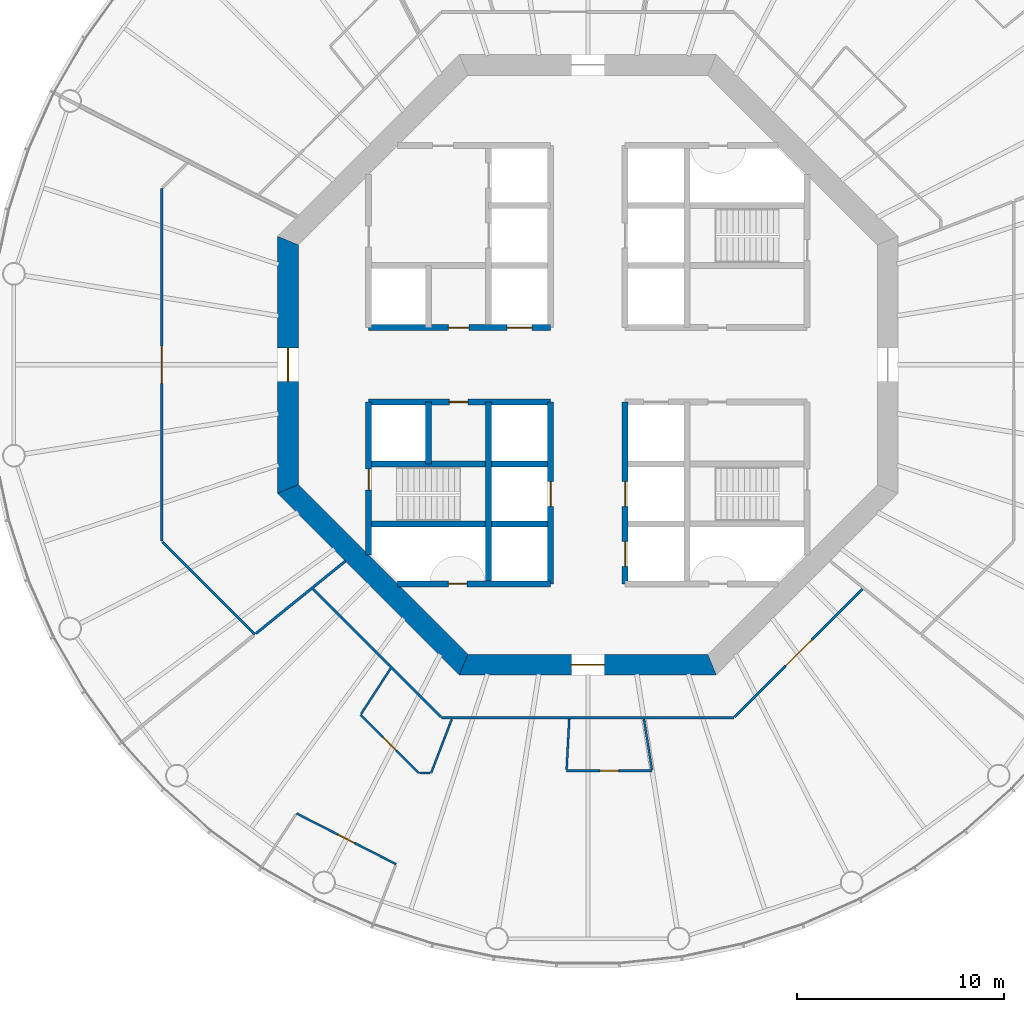
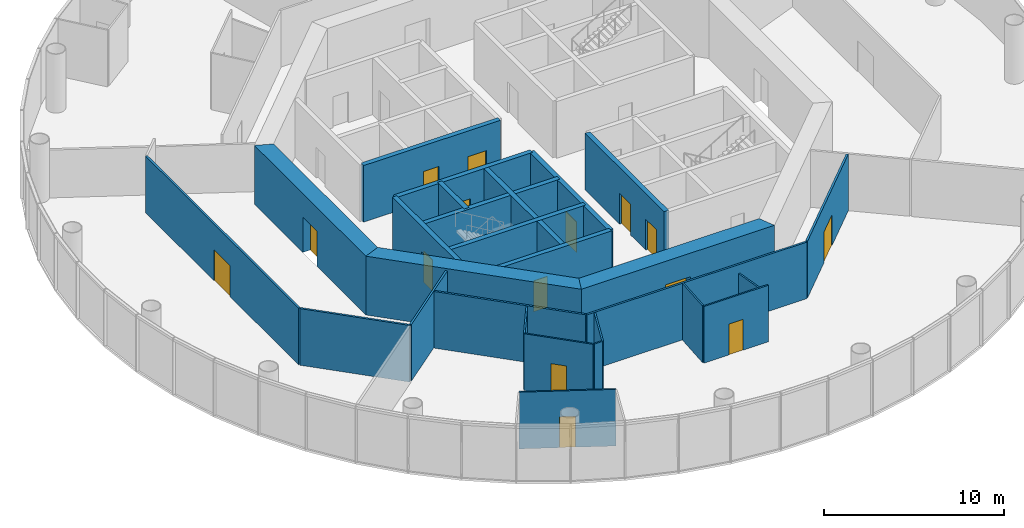
# One storey, part 3 of 12: 27 walls, 15 doors, 15 openings.
"""IFC4 building model written with IfcOpenShell, lengths in metres."""

from ifc_helpers import new_model, si_unit, direction, frame, frame_2d, origin, place, context, subcontext, project, spatial, polyline, rectangle, outline, extrude, material, layer, layer_set, type_object, element, fill, save


model = new_model("IFC4")

# Units and contexts
model_context = context("Model", 3, precision=1e-05, world=origin(), true_north=direction((0.0, 1.0)))
body_context = subcontext(model_context, "Body", "Model", "MODEL_VIEW")
ifc_project = project(units=[si_unit("LENGTHUNIT", "METRE"), si_unit("AREAUNIT", "SQUARE_METRE"), si_unit("VOLUMEUNIT", "CUBIC_METRE"), si_unit("PLANEANGLEUNIT", "RADIAN"), si_unit("MASSUNIT", "GRAM", prefix="KILO")], contexts=[model_context])

# Site, building, storey
site_placement = place(None, origin())
site = spatial("IfcSite", under=ifc_project, at=site_placement, CompositionType="ELEMENT")
building_placement = place(site_placement, origin())
building = spatial("IfcBuilding", under=site, at=building_placement, Name="Entoto Ring Tower", CompositionType="ELEMENT")
storey_placement = place(building_placement, frame((0.0, 0.0, 192.0)))
storey = spatial("IfcBuildingStorey", under=building, at=storey_placement, Name="L44", CompositionType="ELEMENT", Elevation=192.0)

# Wall, openings, doors
ifc_material_1 = material(Name="Concrete C40/50", Category="concrete")
ifc_layer_1 = layer(ifc_material_1, 0.300048828125)
ifc_layer_set_1 = layer_set([ifc_layer_1], Name="Concrete C40/50")
wall_type_1 = type_object("IfcWallType", Name="Core enclosure wall 300 mm reinforced concrete", PredefinedType="SOLIDWALL", material=ifc_layer_set_1)
wall_1_placement = place(storey_placement, frame((91.800048828125, 69.39990234375, 0.0), z_axis=(0.0, 0.0, 1.0), x_axis=(0.0, 1.0, 0.0)))
wall_1 = element("IfcWall", 1, at=wall_1_placement, inside=storey, type_object=wall_type_1, Name="wall-L44-005", PredefinedType="SOLIDWALL", context=body_context, shape_type="SweptSolid", body=[
    extrude(rectangle(XDim=8.800048828125, YDim=0.300048828125, at=frame_2d((4.39990234375, 0.0))), origin(), (0.0, 0.0, 1.0), 3.85009765625),
])
opening_1_placement = place(wall_1_placement, frame((3.75, 0.0, 0.0)))
opening_1 = element("IfcOpeningElement", 2, at=opening_1_placement, cuts=wall_1, Name="Opening LD", PredefinedType="OPENING", context=body_context, shape_type="SweptSolid", body=[
    extrude(rectangle(XDim=1.199951171875, YDim=2.10009765625, at=frame_2d((0.60009765625, 1.050048828125))), frame((0.0, 0.16015625, 0.0), z_axis=(0.0, -1.0, 0.0), x_axis=(1.0, 0.0, 0.0)), (0.0, 0.0, 1.0), 0.320068359375),
])
opening_2_placement = place(wall_1_placement, frame((0.85009765625, 0.0, 0.0)))
opening_2 = element("IfcOpeningElement", 3, at=opening_2_placement, cuts=wall_1, Name="Opening LD", PredefinedType="OPENING", context=body_context, shape_type="SweptSolid", body=[
    extrude(rectangle(XDim=1.199951171875, YDim=2.10009765625, at=frame_2d((0.60009765625, 1.050048828125))), frame((0.0, 0.16015625, 0.0), z_axis=(0.0, -1.0, 0.0), x_axis=(1.0, 0.0, 0.0)), (0.0, 0.0, 1.0), 0.320068359375),
])
ifc_material_2 = material(Name="Steel and glass door leaf", Category="steel")
ifc_layer_2 = layer(ifc_material_2, 0.050048828125)
ifc_layer_set_2 = layer_set([ifc_layer_2], Name="Steel and glass door leaf")
door_type_1 = type_object("IfcDoorType", Name="Landing door 1200 x 2100 sliding", OperationType="DOUBLE_DOOR_SLIDING", PredefinedType="DOOR", material=ifc_layer_set_2)
door_1_placement = place(opening_1_placement, origin())
door_1 = element("IfcDoor", 4, at=door_1_placement, inside=storey, type_object=door_type_1, Name="Landing door LB2-MR", OperationType="SLIDING_TO_RIGHT", OverallHeight=2.10009765625, OverallWidth=1.199951171875, PredefinedType="DOOR", context=body_context, shape_type="SweptSolid", body=[
    extrude(rectangle(XDim=1.199951171875, YDim=2.10009765625, at=frame_2d((0.60009765625, 1.050048828125))), frame((0.0, 0.02490234375, 0.0), z_axis=(0.0, -1.0, 0.0), x_axis=(1.0, 0.0, 0.0)), (0.0, 0.0, 1.0), 0.050048828125),
])
fill(opening_1, door_1)
door_2_placement = place(opening_2_placement, origin())
door_2 = element("IfcDoor", 5, at=door_2_placement, inside=storey, type_object=door_type_1, Name="Landing door LB3-MR", OperationType="SLIDING_TO_RIGHT", OverallHeight=2.10009765625, OverallWidth=1.199951171875, PredefinedType="DOOR", context=body_context, shape_type="SweptSolid", body=[
    extrude(rectangle(XDim=1.199951171875, YDim=2.10009765625, at=frame_2d((0.60009765625, 1.050048828125))), frame((0.0, 0.02490234375, 0.0), z_axis=(0.0, -1.0, 0.0), x_axis=(1.0, 0.0, 0.0)), (0.0, 0.0, 1.0), 0.050048828125),
])
fill(opening_2, door_2)

# Wall, opening, door
wall_2_placement = place(storey_placement, frame((88.199951171875, 69.39990234375, 0.0), z_axis=(0.0, 0.0, 1.0), x_axis=(0.0, 1.0, 0.0)))
wall_2 = element("IfcWall", 6, at=wall_2_placement, inside=storey, type_object=wall_type_1, Name="wall-L44-007", PredefinedType="SOLIDWALL", context=body_context, shape_type="SweptSolid", body=[
    extrude(rectangle(XDim=8.800048828125, YDim=0.300048828125, at=frame_2d((4.39990234375, 0.0))), origin(), (0.0, 0.0, 1.0), 3.85009765625),
])
opening_3_placement = place(wall_2_placement, frame((3.75, 0.0, 0.0)))
opening_3 = element("IfcOpeningElement", 7, at=opening_3_placement, cuts=wall_2, Name="Opening LD", PredefinedType="OPENING", context=body_context, shape_type="SweptSolid", body=[
    extrude(rectangle(XDim=1.199951171875, YDim=2.10009765625, at=frame_2d((0.60009765625, 1.050048828125))), frame((0.0, 0.16015625, 0.0), z_axis=(0.0, -1.0, 0.0), x_axis=(1.0, 0.0, 0.0)), (0.0, 0.0, 1.0), 0.320068359375),
])
door_3_placement = place(opening_3_placement, origin())
door_3 = element("IfcDoor", 8, at=door_3_placement, inside=storey, type_object=door_type_1, Name="Landing door LB4-MR", OperationType="SLIDING_TO_RIGHT", OverallHeight=2.10009765625, OverallWidth=1.199951171875, PredefinedType="DOOR", context=body_context, shape_type="SweptSolid", body=[
    extrude(rectangle(XDim=1.199951171875, YDim=2.10009765625, at=frame_2d((0.60009765625, 1.050048828125))), frame((0.0, 0.02490234375, 0.0), z_axis=(0.0, -1.0, 0.0), x_axis=(1.0, 0.0, 0.0)), (0.0, 0.0, 1.0), 0.050048828125),
])
fill(opening_3, door_3)

# Walls
wall_3_placement = place(storey_placement, frame((85.199951171875, 69.39990234375, 0.0), z_axis=(0.0, 0.0, 1.0), x_axis=(0.0, 1.0, 0.0)))
element("IfcWall", 9, at=wall_3_placement, inside=storey, type_object=wall_type_1, Name="wall-L44-009", PredefinedType="SOLIDWALL", context=body_context, shape_type="SweptSolid", body=[
    extrude(rectangle(XDim=8.800048828125, YDim=0.300048828125, at=frame_2d((4.39990234375, 0.0))), origin(), (0.0, 0.0, 1.0), 3.85009765625),
])
wall_4_placement = place(storey_placement, frame((82.300048828125, 75.199951171875, 0.0), z_axis=(0.0, 0.0, 1.0), x_axis=(0.0, 1.0, 0.0)))
element("IfcWall", 10, at=wall_4_placement, inside=storey, type_object=wall_type_1, Name="wall-L44-011", PredefinedType="SOLIDWALL", context=body_context, shape_type="SweptSolid", body=[
    extrude(rectangle(XDim=3.0, YDim=0.300048828125, at=frame_2d((1.5, 0.0))), origin(), (0.0, 0.0, 1.0), 3.85009765625),
])

# Wall, opening, door
wall_5_placement = place(storey_placement, frame((79.39990234375, 70.801025390625, 0.0), z_axis=(0.0, 0.0, 1.0), x_axis=(0.0, 1.0, 0.0)))
wall_5 = element("IfcWall", 11, at=wall_5_placement, inside=storey, type_object=wall_type_1, Name="wall-L44-013", PredefinedType="SOLIDWALL", context=body_context, shape_type="SweptSolid", body=[
    extrude(rectangle(XDim=7.39892578125, YDim=0.300048828125, at=frame_2d((3.699462890625, 0.0))), origin(), (0.0, 0.0, 1.0), 3.85009765625),
])
opening_4_placement = place(wall_5_placement, frame((3.14892578125, 0.0, 0.0)))
opening_4 = element("IfcOpeningElement", 12, at=opening_4_placement, cuts=wall_5, Name="Opening K-55", PredefinedType="OPENING", context=body_context, shape_type="SweptSolid", body=[
    extrude(rectangle(XDim=1.0, YDim=2.10009765625, at=frame_2d((0.5, 1.050048828125))), frame((0.0, 0.16015625, 0.0), z_axis=(0.0, -1.0, 0.0), x_axis=(1.0, 0.0, 0.0)), (0.0, 0.0, 1.0), 0.320068359375),
])
ifc_material_3 = material(Name="Steel door leaf, fire rated", Category="steel")
ifc_layer_3 = layer(ifc_material_3, 0.050048828125)
ifc_layer_set_3 = layer_set([ifc_layer_3], Name="Steel door leaf, fire rated")
door_type_2 = type_object("IfcDoorType", Name="Fire door FD60 1000 x 2100 single leaf", OperationType="NOTDEFINED", PredefinedType="DOOR", material=ifc_layer_set_3)
door_4_placement = place(opening_4_placement, frame((1.0, 0.0, 0.0), z_axis=(0.0, 0.0, 1.0), x_axis=(-1.0, 0.0, 0.0)))
door_4 = element("IfcDoor", 13, at=door_4_placement, inside=storey, type_object=door_type_2, Name="Door K-55", OperationType="SINGLE_SWING_LEFT", OverallHeight=2.10009765625, OverallWidth=1.0, PredefinedType="DOOR", context=body_context, shape_type="SweptSolid", body=[
    extrude(rectangle(XDim=1.0, YDim=2.10009765625, at=frame_2d((0.5, 1.050048828125))), frame((0.0, 0.02490234375, 0.0), z_axis=(0.0, -1.0, 0.0), x_axis=(1.0, 0.0, 0.0)), (0.0, 0.0, 1.0), 0.050048828125),
])
fill(opening_4, door_4)

wall_6_placement = place(storey_placement, frame((80.801025390625, 69.39990234375, 0.0), z_axis=(0.0, 0.0, 1.0), x_axis=(1.0, 0.0, 0.0)))
wall_6 = element("IfcWall", 14, at=wall_6_placement, inside=storey, type_object=wall_type_1, Name="wall-L44-015", PredefinedType="SOLIDWALL", context=body_context, shape_type="SweptSolid", body=[
    extrude(rectangle(XDim=7.39892578125, YDim=0.300048828125, at=frame_2d((3.699462890625, 0.0))), origin(), (0.0, 0.0, 1.0), 3.85009765625),
])
opening_5_placement = place(wall_6_placement, frame((2.448974609375, 0.0, 0.0)))
opening_5 = element("IfcOpeningElement", 15, at=opening_5_placement, cuts=wall_6, Name="Opening K-62", PredefinedType="OPENING", context=body_context, shape_type="SweptSolid", body=[
    extrude(rectangle(XDim=0.89990234375, YDim=2.10009765625, at=frame_2d((0.449951171875, 1.050048828125))), frame((0.0, 0.16015625, 0.0), z_axis=(0.0, -1.0, 0.0), x_axis=(1.0, 0.0, 0.0)), (0.0, 0.0, 1.0), 0.320068359375),
])
ifc_material_4 = material(Name="Steel door leaf, fire rated", Category="steel")
ifc_layer_4 = layer(ifc_material_4, 0.050048828125)
ifc_layer_set_4 = layer_set([ifc_layer_4], Name="Steel door leaf, fire rated")
door_type_3 = type_object("IfcDoorType", Name="Riser door FD60 900 x 2100 single leaf", OperationType="NOTDEFINED", PredefinedType="DOOR", material=ifc_layer_set_4)
door_5_placement = place(opening_5_placement, origin())
door_5 = element("IfcDoor", 16, at=door_5_placement, inside=storey, type_object=door_type_3, Name="Door K-62", OperationType="SINGLE_SWING_RIGHT", OverallHeight=2.10009765625, OverallWidth=0.89990234375, PredefinedType="DOOR", context=body_context, shape_type="SweptSolid", body=[
    extrude(rectangle(XDim=0.89990234375, YDim=2.10009765625, at=frame_2d((0.449951171875, 1.050048828125))), frame((0.0, 0.02490234375, 0.0), z_axis=(0.0, -1.0, 0.0), x_axis=(1.0, 0.0, 0.0)), (0.0, 0.0, 1.0), 0.050048828125),
])
fill(opening_5, door_5)

# Walls
for number, where, z_axis, x_axis, name in (
    (17, (79.39990234375, 72.300048828125, 0.0), (0.0, 0.0, 1.0), (1.0, 0.0, 0.0), "wall-L44-017"),
    (18, (79.39990234375, 75.199951171875, 0.0), (0.0, 0.0, 1.0), (1.0, 0.0, 0.0), "wall-L44-019"),
):
    element("IfcWall", number, at=place(storey_placement, frame(where, z_axis=z_axis, x_axis=x_axis)), inside=storey, type_object=wall_type_1, Name=name, PredefinedType="SOLIDWALL", context=body_context, shape_type="SweptSolid", body=[
        extrude(rectangle(XDim=8.800048828125, YDim=0.300048828125, at=frame_2d((4.39990234375, 0.0))), origin(), (0.0, 0.0, 1.0), 3.85009765625),
    ])

# Wall, opening, door
wall_7_placement = place(storey_placement, frame((79.39990234375, 78.199951171875, 0.0), z_axis=(0.0, 0.0, 1.0), x_axis=(1.0, 0.0, 0.0)))
wall_7 = element("IfcWall", 19, at=wall_7_placement, inside=storey, type_object=wall_type_1, Name="wall-L44-021", PredefinedType="SOLIDWALL", context=body_context, shape_type="SweptSolid", body=[
    extrude(rectangle(XDim=8.800048828125, YDim=0.300048828125, at=frame_2d((4.39990234375, 0.0))), origin(), (0.0, 0.0, 1.0), 3.85009765625),
])
opening_6_placement = place(wall_7_placement, frame((3.89990234375, 0.0, 0.0)))
opening_6 = element("IfcOpeningElement", 20, at=opening_6_placement, cuts=wall_7, Name="Opening K-14", PredefinedType="OPENING", context=body_context, shape_type="SweptSolid", body=[
    extrude(rectangle(XDim=0.89990234375, YDim=2.10009765625, at=frame_2d((0.449951171875, 1.050048828125))), frame((0.0, 0.16015625, 0.0), z_axis=(0.0, -1.0, 0.0), x_axis=(1.0, 0.0, 0.0)), (0.0, 0.0, 1.0), 0.320068359375),
])
ifc_material_5 = material(Name="Steel door leaf, fire rated", Category="steel")
ifc_layer_5 = layer(ifc_material_5, 0.050048828125)
ifc_layer_set_5 = layer_set([ifc_layer_5], Name="Steel door leaf, fire rated")
door_type_4 = type_object("IfcDoorType", Name="Core door 900 x 2100 single leaf", OperationType="NOTDEFINED", PredefinedType="DOOR", material=ifc_layer_set_5)
door_6_placement = place(opening_6_placement, frame((0.89990234375, 0.0, 0.0), z_axis=(0.0, 0.0, 1.0), x_axis=(-1.0, 0.0, 0.0)))
door_6 = element("IfcDoor", 21, at=door_6_placement, inside=storey, type_object=door_type_4, Name="Door K-14", OperationType="SINGLE_SWING_LEFT", OverallHeight=2.10009765625, OverallWidth=0.89990234375, PredefinedType="DOOR", context=body_context, shape_type="SweptSolid", body=[
    extrude(rectangle(XDim=0.89990234375, YDim=2.10009765625, at=frame_2d((0.449951171875, 1.050048828125))), frame((0.0, 0.02490234375, 0.0), z_axis=(0.0, -1.0, 0.0), x_axis=(1.0, 0.0, 0.0)), (0.0, 0.0, 1.0), 0.050048828125),
])
fill(opening_6, door_6)

# Wall, openings, doors
wall_8_placement = place(storey_placement, frame((79.39990234375, 81.800048828125, 0.0), z_axis=(0.0, 0.0, 1.0), x_axis=(1.0, 0.0, 0.0)))
wall_8 = element("IfcWall", 22, at=wall_8_placement, inside=storey, type_object=wall_type_1, Name="wall-L44-023", PredefinedType="SOLIDWALL", context=body_context, shape_type="SweptSolid", body=[
    extrude(rectangle(XDim=8.800048828125, YDim=0.300048828125, at=frame_2d((4.39990234375, 0.0))), origin(), (0.0, 0.0, 1.0), 3.85009765625),
])
opening_7_placement = place(wall_8_placement, frame((6.699951171875, 0.0, 0.0)))
opening_7 = element("IfcOpeningElement", 23, at=opening_7_placement, cuts=wall_8, Name="Opening LD", PredefinedType="OPENING", context=body_context, shape_type="SweptSolid", body=[
    extrude(rectangle(XDim=1.199951171875, YDim=2.10009765625, at=frame_2d((0.60009765625, 1.050048828125))), frame((0.0, 0.16015625, 0.0), z_axis=(0.0, -1.0, 0.0), x_axis=(1.0, 0.0, 0.0)), (0.0, 0.0, 1.0), 0.320068359375),
])
opening_8_placement = place(wall_8_placement, frame((3.85009765625, 0.0, 0.0)))
opening_8 = element("IfcOpeningElement", 24, at=opening_8_placement, cuts=wall_8, Name="Opening K-13", PredefinedType="OPENING", context=body_context, shape_type="SweptSolid", body=[
    extrude(rectangle(XDim=1.0, YDim=2.10009765625, at=frame_2d((0.5, 1.050048828125))), frame((0.0, 0.16015625, 0.0), z_axis=(0.0, -1.0, 0.0), x_axis=(1.0, 0.0, 0.0)), (0.0, 0.0, 1.0), 0.320068359375),
])
ifc_material_6 = material(Name="Steel door leaf, fire rated", Category="steel")
ifc_layer_6 = layer(ifc_material_6, 0.050048828125)
ifc_layer_set_6 = layer_set([ifc_layer_6], Name="Steel door leaf, fire rated")
door_type_5 = type_object("IfcDoorType", Name="Accessible door 1000 x 2100 single leaf", OperationType="NOTDEFINED", PredefinedType="DOOR", material=ifc_layer_set_6)
door_7_placement = place(opening_8_placement, origin())
door_7 = element("IfcDoor", 25, at=door_7_placement, inside=storey, type_object=door_type_5, Name="Door K-13", OperationType="SINGLE_SWING_LEFT", OverallHeight=2.10009765625, OverallWidth=1.0, PredefinedType="DOOR", context=body_context, shape_type="SweptSolid", body=[
    extrude(rectangle(XDim=1.0, YDim=2.10009765625, at=frame_2d((0.5, 1.050048828125))), frame((0.0, 0.02490234375, 0.0), z_axis=(0.0, -1.0, 0.0), x_axis=(1.0, 0.0, 0.0)), (0.0, 0.0, 1.0), 0.050048828125),
])
fill(opening_8, door_7)
door_8_placement = place(opening_7_placement, origin())
door_8 = element("IfcDoor", 26, at=door_8_placement, inside=storey, type_object=door_type_1, Name="Landing door LB5-MR", OperationType="SLIDING_TO_LEFT", OverallHeight=2.10009765625, OverallWidth=1.199951171875, PredefinedType="DOOR", context=body_context, shape_type="SweptSolid", body=[
    extrude(rectangle(XDim=1.199951171875, YDim=2.10009765625, at=frame_2d((0.60009765625, 1.050048828125))), frame((0.0, 0.02490234375, 0.0), z_axis=(0.0, -1.0, 0.0), x_axis=(1.0, 0.0, 0.0)), (0.0, 0.0, 1.0), 0.050048828125),
])
fill(opening_7, door_8)

# Wall, opening, door
ifc_material_7 = material(Name="Concrete C50/60", Category="concrete")
ifc_layer_7 = layer(ifc_material_7, 1.0)
ifc_layer_set_7 = layer_set([ifc_layer_7], Name="Concrete C50/60")
wall_type_2 = type_object("IfcWallType", Name="Core shear wall 1000 mm reinforced concrete C50/60", PredefinedType="SHEAR", material=ifc_layer_set_7)
wall_9_placement = place(storey_placement, frame((75.5, 86.006103515625, 0.0), z_axis=(0.0, 0.0, 1.0), x_axis=(0.0, -1.0, 0.0)))
wall_9 = element("IfcWall", 27, at=wall_9_placement, inside=storey, type_object=wall_type_2, Name="wall-L44-core-4", PredefinedType="SHEAR", context=body_context, shape_type="SweptSolid", body=[
    extrude(outline(polyline([(-0.20703125, -0.5), (12.21923828125, -0.5), (11.80517578125, 0.5), (0.20703125, 0.5), (-0.20703125, -0.5)])), origin(), (0.0, 0.0, 1.0), 4.0),
])
opening_9_placement = place(wall_9_placement, frame((5.2060546875, 0.0, 0.0)))
opening_9 = element("IfcOpeningElement", 28, at=opening_9_placement, cuts=wall_9, Name="Opening K-03", PredefinedType="OPENING", context=body_context, shape_type="SweptSolid", body=[
    extrude(rectangle(XDim=1.60009765625, YDim=2.39990234375, at=frame_2d((0.800048828125, 1.199951171875))), frame((0.0, 0.510009765625, 0.0), z_axis=(0.0, -1.0, 0.0), x_axis=(1.0, 0.0, 0.0)), (0.0, 0.0, 1.0), 1.02001953125),
])
ifc_material_8 = material(Name="Steel door leaf, fire rated", Category="steel")
ifc_layer_8 = layer(ifc_material_8, 0.050048828125)
ifc_layer_set_8 = layer_set([ifc_layer_8], Name="Steel door leaf, fire rated")
door_type_6 = type_object("IfcDoorType", Name="Entrance door FD60 1600 x 2400 double leaf", OperationType="DOUBLE_DOOR_SINGLE_SWING", PredefinedType="DOOR", material=ifc_layer_set_8)
door_9_placement = place(opening_9_placement, origin())
door_9 = element("IfcDoor", 29, at=door_9_placement, inside=storey, type_object=door_type_6, Name="Entrance door K-03", OperationType="DOUBLE_DOOR_SINGLE_SWING", OverallHeight=2.39990234375, OverallWidth=1.60009765625, PredefinedType="DOOR", context=body_context, shape_type="SweptSolid", body=[
    extrude(rectangle(XDim=1.60009765625, YDim=2.39990234375, at=frame_2d((0.800048828125, 1.199951171875))), frame((0.0, 0.02490234375, 0.0), z_axis=(0.0, -1.0, 0.0), x_axis=(1.0, 0.0, 0.0)), (0.0, 0.0, 1.0), 0.050048828125),
])
fill(opening_9, door_9)

# Wall
wall_10_placement = place(storey_placement, frame((75.5, 73.993896484375, 0.0), z_axis=(0.0, 0.0, 1.0), x_axis=(0.707106781187, -0.707106781187, 0.0)))
element("IfcWall", 30, at=wall_10_placement, inside=storey, type_object=wall_type_2, Name="wall-L44-core-5", PredefinedType="SHEAR", context=body_context, shape_type="SweptSolid", body=[
    extrude(outline(polyline([(-0.20703125, -0.5), (12.21923828125, -0.5), (11.80517578125, 0.5), (0.20703125, 0.5), (-0.20703125, -0.5)])), origin(), (0.0, 0.0, 1.0), 4.0),
])

# Wall, opening, door
wall_11_placement = place(storey_placement, frame((83.993896484375, 65.5, 0.0), z_axis=(0.0, 0.0, 1.0), x_axis=(1.0, 0.0, 0.0)))
wall_11 = element("IfcWall", 31, at=wall_11_placement, inside=storey, type_object=wall_type_2, Name="wall-L44-core-6", PredefinedType="SHEAR", context=body_context, shape_type="SweptSolid", body=[
    extrude(outline(polyline([(-0.20703125, -0.5), (12.21923828125, -0.5), (11.80517578125, 0.5), (0.20703125, 0.5), (-0.20703125, -0.5)])), origin(), (0.0, 0.0, 1.0), 4.0),
])
opening_10_placement = place(wall_11_placement, frame((5.2060546875, 0.0, 0.0)))
opening_10 = element("IfcOpeningElement", 32, at=opening_10_placement, cuts=wall_11, Name="Opening K-04", PredefinedType="OPENING", context=body_context, shape_type="SweptSolid", body=[
    extrude(rectangle(XDim=1.60009765625, YDim=2.39990234375, at=frame_2d((0.800048828125, 1.199951171875))), frame((0.0, 0.510009765625, 0.0), z_axis=(0.0, -1.0, 0.0), x_axis=(1.0, 0.0, 0.0)), (0.0, 0.0, 1.0), 1.02001953125),
])
door_10_placement = place(opening_10_placement, origin())
door_10 = element("IfcDoor", 33, at=door_10_placement, inside=storey, type_object=door_type_6, Name="Entrance door K-04", OperationType="DOUBLE_DOOR_SINGLE_SWING", OverallHeight=2.39990234375, OverallWidth=1.60009765625, PredefinedType="DOOR", context=body_context, shape_type="SweptSolid", body=[
    extrude(rectangle(XDim=1.60009765625, YDim=2.39990234375, at=frame_2d((0.800048828125, 1.199951171875))), frame((0.0, 0.02490234375, 0.0), z_axis=(0.0, -1.0, 0.0), x_axis=(1.0, 0.0, 0.0)), (0.0, 0.0, 1.0), 0.050048828125),
])
fill(opening_10, door_10)

ifc_material_9 = material(Name="Fire-resisting plasterboard on steel studs", Category="steel")
ifc_layer_9 = layer(ifc_material_9, 0.125)
ifc_layer_set_9 = layer_set([ifc_layer_9], Name="Fire-resisting plasterboard on steel studs")
wall_type_3 = type_object("IfcWallType", Name="Corridor wall 125 mm one-hour plasterboard on steel studs", PredefinedType="PARTITIONING", material=ifc_layer_set_9)
wall_12_placement = place(storey_placement, frame((69.39990234375, 71.46728515625, 0.0), z_axis=(0.0, 0.0, 1.0), x_axis=(0.0, 1.0, 0.0)))
wall_12 = element("IfcWall", 34, at=wall_12_placement, inside=storey, type_object=wall_type_3, Name="partition-L44-001", PredefinedType="PARTITIONING", context=body_context, shape_type="SweptSolid", body=[
    extrude(rectangle(XDim=17.0654296875, YDim=0.125, at=frame_2d((8.53271484375, 0.0))), origin(), (0.0, 0.0, 1.0), 3.85009765625),
])
opening_11_placement = place(wall_12_placement, frame((7.6328125, 0.0, 0.0)))
opening_11 = element("IfcOpeningElement", 35, at=opening_11_placement, cuts=wall_12, Name="Opening A19-D02", PredefinedType="OPENING", context=body_context, shape_type="SweptSolid", body=[
    extrude(rectangle(XDim=1.800048828125, YDim=2.10009765625, at=frame_2d((0.89990234375, 1.050048828125))), frame((0.0, 0.072509765625, 0.0), z_axis=(0.0, -1.0, 0.0), x_axis=(1.0, 0.0, 0.0)), (0.0, 0.0, 1.0), 0.14501953125),
])
ifc_material_10 = material(Name="Fire-resisting timber door set", Category="wood")
door_type_7 = type_object("IfcDoorType", Name="Door 1800 x 2100 double leaf FD30S fire door", OperationType="DOUBLE_DOOR_SINGLE_SWING", PredefinedType="DOOR", material=ifc_material_10)
door_11_placement = place(opening_11_placement, origin())
door_11 = element("IfcDoor", 36, at=door_11_placement, inside=storey, type_object=door_type_7, Name="Door A19-D02", OperationType="DOUBLE_DOOR_SINGLE_SWING", OverallHeight=2.10009765625, OverallWidth=1.800048828125, PredefinedType="DOOR", context=body_context, shape_type="SweptSolid", body=[
    extrude(rectangle(XDim=1.800048828125, YDim=2.10009765625, at=frame_2d((0.89990234375, 1.050048828125))), frame((0.0, 0.02490234375, 0.0), z_axis=(0.0, -1.0, 0.0), x_axis=(1.0, 0.0, 0.0)), (0.0, 0.0, 1.0), 0.050048828125),
])
fill(opening_11, door_11)

# Walls
wall_13_placement = place(storey_placement, frame((82.9326171875, 62.9375, 0.0), z_axis=(0.0, 0.0, 1.0), x_axis=(1.0, 0.0, 0.0)))
element("IfcWall", 37, at=wall_13_placement, inside=storey, type_object=wall_type_3, Name="partition-L44-003", PredefinedType="PARTITIONING", context=body_context, shape_type="SweptSolid", body=[
    extrude(rectangle(XDim=14.134765625, YDim=0.125, at=frame_2d((7.0673828125, 0.0))), origin(), (0.0, 0.0, 1.0), 3.85009765625),
])
wall_14_placement = place(storey_placement, frame((82.9013671875, 62.968505859375, 0.0), z_axis=(0.0, 0.0, 1.0), x_axis=(-0.707092826187, 0.70712073591, 0.0)))
element("IfcWall", 38, at=wall_14_placement, inside=storey, type_object=wall_type_3, Name="partition-L44-007", PredefinedType="PARTITIONING", context=body_context, shape_type="SweptSolid", body=[
    extrude(rectangle(XDim=8.74755859375, YDim=0.125, at=frame_2d((4.373779296875, 0.0))), origin(), (0.0, 0.0, 1.0), 3.85009765625),
])

# Wall, opening, door
wall_15_placement = place(storey_placement, frame((97.0986328125, 62.968505859375, 0.0), z_axis=(0.0, 0.0, 1.0), x_axis=(0.707092826187, 0.70712073591, 0.0)))
wall_15 = element("IfcWall", 39, at=wall_15_placement, inside=storey, type_object=wall_type_3, Name="partition-L44-008", PredefinedType="PARTITIONING", context=body_context, shape_type="SweptSolid", body=[
    extrude(rectangle(XDim=8.74755859375, YDim=0.125, at=frame_2d((4.373779296875, 0.0))), origin(), (0.0, 0.0, 1.0), 3.85009765625),
])
opening_12_placement = place(wall_15_placement, frame((3.486572265625, 0.0, 0.0)))
opening_12 = element("IfcOpeningElement", 40, at=opening_12_placement, cuts=wall_15, Name="Opening A19-D10", PredefinedType="OPENING", context=body_context, shape_type="SweptSolid", body=[
    extrude(rectangle(XDim=1.800048828125, YDim=2.10009765625, at=frame_2d((0.89990234375, 1.050048828125))), frame((0.0, 0.072509765625, 0.0), z_axis=(0.0, -1.0, 0.0), x_axis=(1.0, 0.0, 0.0)), (0.0, 0.0, 1.0), 0.14501953125),
])
door_12_placement = place(opening_12_placement, frame((1.800048828125, 0.0, 0.0), z_axis=(0.0, 0.0, 1.0), x_axis=(-1.0, 0.0, 0.0)))
door_12 = element("IfcDoor", 41, at=door_12_placement, inside=storey, type_object=door_type_7, Name="Door A19-D10", OperationType="DOUBLE_DOOR_SINGLE_SWING", OverallHeight=2.10009765625, OverallWidth=1.800048828125, PredefinedType="DOOR", context=body_context, shape_type="SweptSolid", body=[
    extrude(rectangle(XDim=1.800048828125, YDim=2.10009765625, at=frame_2d((0.89990234375, 1.050048828125))), frame((0.0, 0.02490234375, 0.0), z_axis=(0.0, -1.0, 0.0), x_axis=(1.0, 0.0, 0.0)), (0.0, 0.0, 1.0), 0.050048828125),
])
fill(opening_12, door_12)

# Walls
wall_16_placement = place(storey_placement, frame((73.902587890625, 66.964599609375, 0.0), z_axis=(0.0, 0.0, 1.0), x_axis=(-0.707106781187, 0.707106781187, 0.0)))
element("IfcWall", 42, at=wall_16_placement, inside=storey, type_object=wall_type_3, Name="partition-L44-009", PredefinedType="PARTITIONING", context=body_context, shape_type="SweptSolid", body=[
    extrude(rectangle(XDim=6.323486328125, YDim=0.125, at=frame_2d((3.16162109375, 0.0))), origin(), (0.0, 0.0, 1.0), 3.85009765625),
])
wall_17_placement = place(storey_placement, frame((73.950927734375, 67.003662109375, 0.0), z_axis=(0.0, 0.0, 1.0), x_axis=(0.777129489168, 0.629340732089, 0.0)))
element("IfcWall", 43, at=wall_17_placement, inside=storey, type_object=wall_type_3, Name="partition-L44-013", PredefinedType="PARTITIONING", context=body_context, shape_type="SweptSolid", body=[
    extrude(rectangle(XDim=5.56884765625, YDim=0.125, at=frame_2d((2.784423828125, 0.0))), origin(), (0.0, 0.0, 1.0), 3.85009765625),
])

# Wall, opening, door
ifc_material_11 = material(Name="Plasterboard on steel studs", Category="steel")
ifc_layer_10 = layer(ifc_material_11, 0.10009765625)
ifc_layer_set_10 = layer_set([ifc_layer_10], Name="Plasterboard on steel studs")
wall_type_4 = type_object("IfcWallType", Name="Partition 100 mm plasterboard on steel studs", PredefinedType="PARTITIONING", material=ifc_layer_set_10)
wall_18_placement = place(storey_placement, frame((80.72900390625, 55.848388671875, 0.0), z_axis=(0.0, 0.0, 1.0), x_axis=(-0.891006767453, 0.453990022306, 0.0)))
wall_18 = element("IfcWall", 44, at=wall_18_placement, inside=storey, type_object=wall_type_4, Name="partition-L44-023", PredefinedType="PARTITIONING", context=body_context, shape_type="SweptSolid", body=[
    extrude(rectangle(XDim=5.408203125, YDim=0.10009765625, at=frame_2d((2.7041015625, 0.0))), origin(), (0.0, 0.0, 1.0), 3.85009765625),
])
opening_13_placement = place(wall_18_placement, frame((2.254150390625, 0.0, 0.0)))
opening_13 = element("IfcOpeningElement", 45, at=opening_13_placement, cuts=wall_18, Name="Opening A19-D13", PredefinedType="OPENING", context=body_context, shape_type="SweptSolid", body=[
    extrude(rectangle(XDim=0.89990234375, YDim=2.10009765625, at=frame_2d((0.449951171875, 1.050048828125))), frame((0.0, 0.06005859375, 0.0), z_axis=(0.0, -1.0, 0.0), x_axis=(1.0, 0.0, 0.0)), (0.0, 0.0, 1.0), 0.1201171875),
])
ifc_material_12 = material(Name="Veneered timber door leaf in timber frame", Category="wood")
door_type_8 = type_object("IfcDoorType", Name="Door 900 x 2100 single leaf timber veneer", OperationType="NOTDEFINED", PredefinedType="DOOR", material=ifc_material_12)
door_13_placement = place(opening_13_placement, origin())
door_13 = element("IfcDoor", 46, at=door_13_placement, inside=storey, type_object=door_type_8, Name="Door A19-D13", OperationType="SINGLE_SWING_RIGHT", OverallHeight=2.10009765625, OverallWidth=0.89990234375, PredefinedType="DOOR", context=body_context, shape_type="SweptSolid", body=[
    extrude(rectangle(XDim=0.89990234375, YDim=2.10009765625, at=frame_2d((0.449951171875, 1.050048828125))), frame((0.0, 0.02490234375, 0.0), z_axis=(0.0, -1.0, 0.0), x_axis=(1.0, 0.0, 0.0)), (0.0, 0.0, 1.0), 0.050048828125),
])
fill(opening_13, door_13)

wall_19_placement = place(storey_placement, frame((88.97119140625, 60.367431640625, 0.0), z_axis=(0.0, 0.0, 1.0), x_axis=(1.0, 0.0, 0.0)))
wall_19 = element("IfcWall", 47, at=wall_19_placement, inside=storey, type_object=wall_type_4, Name="partition-L44-027", PredefinedType="PARTITIONING", context=body_context, shape_type="SweptSolid", body=[
    extrude(rectangle(XDim=4.138427734375, YDim=0.10009765625, at=frame_2d((2.0693359375, 0.0))), origin(), (0.0, 0.0, 1.0), 3.85009765625),
])
opening_14_placement = place(wall_19_placement, frame((1.619140625, 0.0, 0.0)))
opening_14 = element("IfcOpeningElement", 48, at=opening_14_placement, cuts=wall_19, Name="Opening A19-D12", PredefinedType="OPENING", context=body_context, shape_type="SweptSolid", body=[
    extrude(rectangle(XDim=0.89990234375, YDim=2.10009765625, at=frame_2d((0.449951171875, 1.050048828125))), frame((0.0, 0.06005859375, 0.0), z_axis=(0.0, -1.0, 0.0), x_axis=(1.0, 0.0, 0.0)), (0.0, 0.0, 1.0), 0.1201171875),
])
door_14_placement = place(opening_14_placement, origin())
door_14 = element("IfcDoor", 49, at=door_14_placement, inside=storey, type_object=door_type_8, Name="Door A19-D12", OperationType="SINGLE_SWING_RIGHT", OverallHeight=2.10009765625, OverallWidth=0.89990234375, PredefinedType="DOOR", context=body_context, shape_type="SweptSolid", body=[
    extrude(rectangle(XDim=0.89990234375, YDim=2.10009765625, at=frame_2d((0.449951171875, 1.050048828125))), frame((0.0, 0.02490234375, 0.0), z_axis=(0.0, -1.0, 0.0), x_axis=(1.0, 0.0, 0.0)), (0.0, 0.0, 1.0), 0.050048828125),
])
fill(opening_14, door_14)

wall_20_placement = place(storey_placement, frame((81.822509765625, 60.257568359375, 0.0), z_axis=(0.0, 0.0, 1.0), x_axis=(-0.70716810077, 0.707045456285, 0.0)))
wall_20 = element("IfcWall", 50, at=wall_20_placement, inside=storey, type_object=wall_type_4, Name="partition-L44-028", PredefinedType="PARTITIONING", context=body_context, shape_type="SweptSolid", body=[
    extrude(rectangle(XDim=3.981201171875, YDim=0.10009765625, at=frame_2d((1.99072265625, 0.0))), origin(), (0.0, 0.0, 1.0), 3.85009765625),
])
opening_15_placement = place(wall_20_placement, frame((1.54052734375, 0.0, 0.0)))
opening_15 = element("IfcOpeningElement", 51, at=opening_15_placement, cuts=wall_20, Name="Opening A19-D11", PredefinedType="OPENING", context=body_context, shape_type="SweptSolid", body=[
    extrude(rectangle(XDim=0.89990234375, YDim=2.10009765625, at=frame_2d((0.449951171875, 1.050048828125))), frame((0.0, 0.06005859375, 0.0), z_axis=(0.0, -1.0, 0.0), x_axis=(1.0, 0.0, 0.0)), (0.0, 0.0, 1.0), 0.1201171875),
])
door_15_placement = place(opening_15_placement, frame((0.89990234375, 0.0, 0.0), z_axis=(0.0, 0.0, 1.0), x_axis=(-1.0, 0.0, 0.0)))
door_15 = element("IfcDoor", 52, at=door_15_placement, inside=storey, type_object=door_type_8, Name="Door A19-D11", OperationType="SINGLE_SWING_LEFT", OverallHeight=2.10009765625, OverallWidth=0.89990234375, PredefinedType="DOOR", context=body_context, shape_type="SweptSolid", body=[
    extrude(rectangle(XDim=0.89990234375, YDim=2.10009765625, at=frame_2d((0.449951171875, 1.050048828125))), frame((0.0, 0.02490234375, 0.0), z_axis=(0.0, -1.0, 0.0), x_axis=(1.0, 0.0, 0.0)), (0.0, 0.0, 1.0), 0.050048828125),
])
fill(opening_15, door_15)

# Walls
wall_21_placement = place(storey_placement, frame((82.421630859375, 60.257568359375, 0.0), z_axis=(0.0, 0.0, 1.0), x_axis=(0.358338586349, 0.933591697442, 0.0)))
element("IfcWall", 53, at=wall_21_placement, inside=storey, type_object=wall_type_4, Name="partition-L44-035", PredefinedType="PARTITIONING", context=body_context, shape_type="SweptSolid", body=[
    extrude(rectangle(XDim=2.784423828125, YDim=0.10009765625, at=frame_2d((1.39208984375, 0.0))), origin(), (0.0, 0.0, 1.0), 3.85009765625),
])
wall_22_placement = place(storey_placement, frame((79.03369140625, 63.113525390625, 0.0), z_axis=(0.0, 0.0, 1.0), x_axis=(0.544670214794, 0.838650318736, 0.0)))
element("IfcWall", 54, at=wall_22_placement, inside=storey, type_object=wall_type_4, Name="partition-L44-038", PredefinedType="PARTITIONING", context=body_context, shape_type="SweptSolid", body=[
    extrude(rectangle(XDim=2.61669921875, YDim=0.10009765625, at=frame_2d((1.308349609375, 0.0))), origin(), (0.0, 0.0, 1.0), 3.85009765625),
])
wall_23_placement = place(storey_placement, frame((88.973876953125, 60.420166015625, 0.0), z_axis=(0.0, 0.0, 1.0), x_axis=(0.052297907583, 0.998631528073, 0.0)))
element("IfcWall", 55, at=wall_23_placement, inside=storey, type_object=wall_type_4, Name="partition-L44-045", PredefinedType="PARTITIONING", context=body_context, shape_type="SweptSolid", body=[
    extrude(rectangle(XDim=2.45556640625, YDim=0.10009765625, at=frame_2d((1.227783203125, 0.0))), origin(), (0.0, 0.0, 1.0), 3.85009765625),
])
wall_24_placement = place(storey_placement, frame((81.857421875, 60.257568359375, 0.0), z_axis=(0.0, 0.0, 1.0), x_axis=(1.0, 0.0, 0.0)))
element("IfcWall", 56, at=wall_24_placement, inside=storey, type_object=wall_type_4, Name="partition-L44-046", PredefinedType="PARTITIONING", context=body_context, shape_type="SweptSolid", body=[
    extrude(rectangle(XDim=0.517578125, YDim=0.10009765625, at=frame_2d((0.2587890625, 0.0))), origin(), (0.0, 0.0, 1.0), 3.85009765625),
])
ifc_material_13 = material(Name="Plasterboard on steel studs", Category="steel")
ifc_layer_11 = layer(ifc_material_13, 0.10009765625)
ifc_layer_set_11 = layer_set([ifc_layer_11], Name="Plasterboard on steel studs")
wall_type_5 = type_object("IfcWallType", Name="Partition 100 mm plasterboard on steel studs, 3250 mm high", PredefinedType="PARTITIONING", material=ifc_layer_set_11)
wall_25_placement = place(storey_placement, frame((93.100341796875, 60.42529296875, 0.0), z_axis=(0.0, 0.0, 1.0), x_axis=(-0.156418938865, 0.987690799575, 0.0)))
element("IfcWall", 57, at=wall_25_placement, inside=storey, type_object=wall_type_5, Name="partition-L44-044", PredefinedType="PARTITIONING", context=body_context, shape_type="SweptSolid", body=[
    extrude(rectangle(XDim=2.472412109375, YDim=0.10009765625, at=frame_2d((1.236328125, 0.0))), origin(), (0.0, 0.0, 1.0), 3.25),
])

save(model, "model.ifc")
